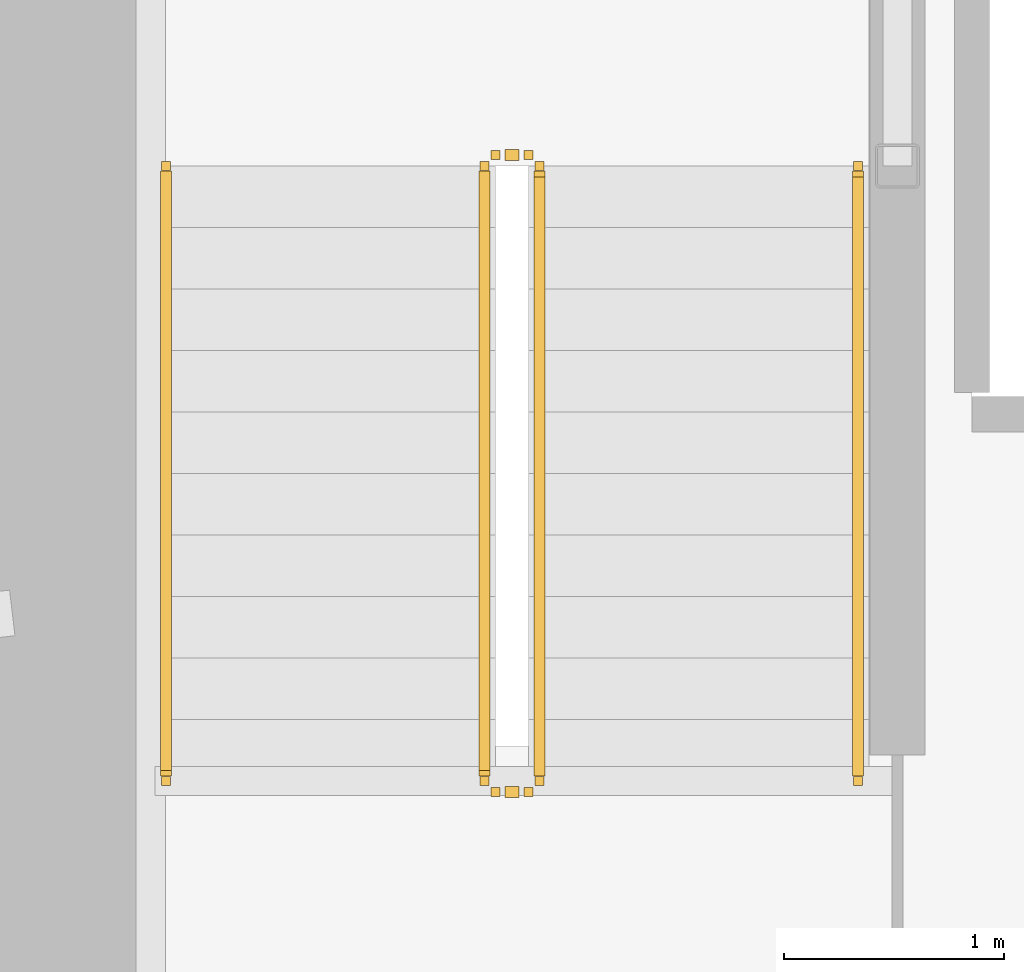
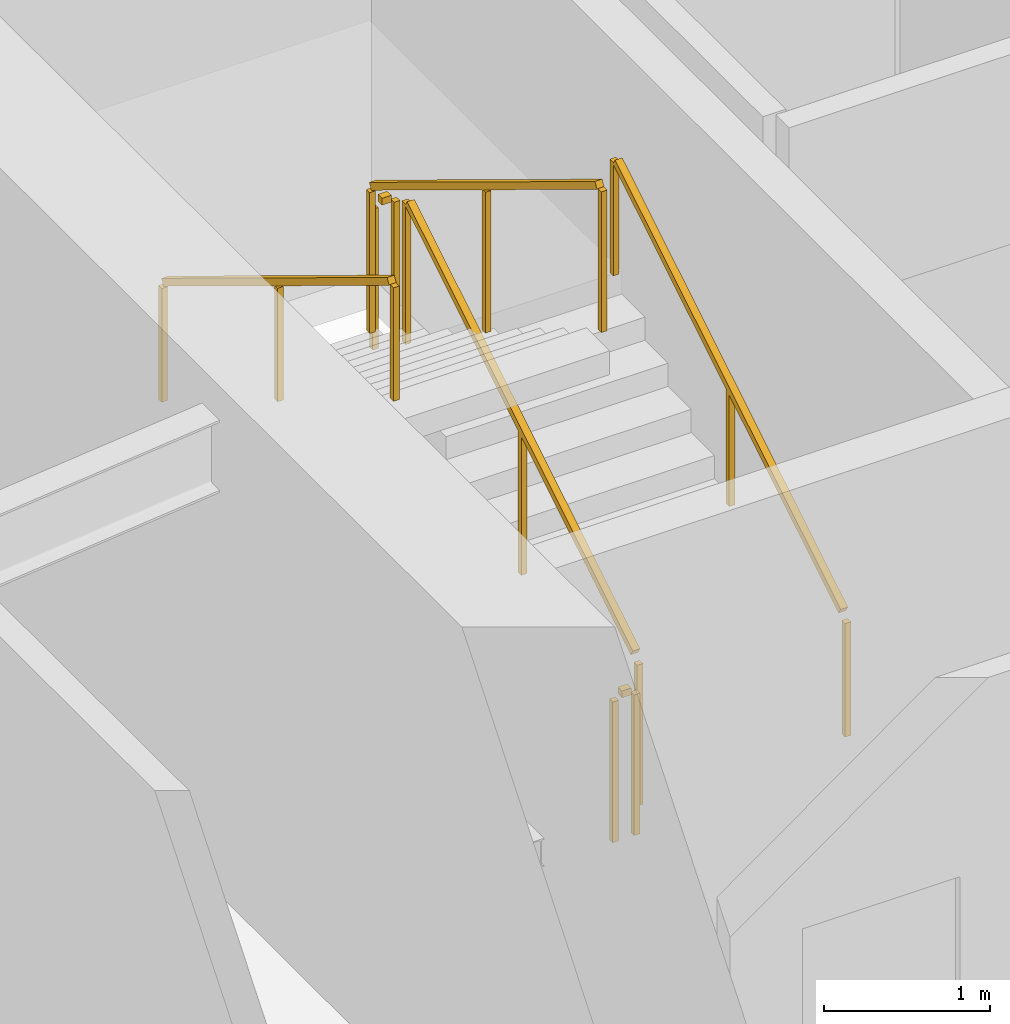
# One storey, part 17 of 22: 6 railings.
"""IFC4 building model written with IfcOpenShell, lengths in metres."""

from ifc_helpers import new_model, si_unit, direction, frame, origin, origin_2d, place, context, subcontext, project, spatial, rectangle, extrude, material, type_object, element, save


model = new_model("IFC4")

# Units and contexts
model_context = context("Model", 3, precision=1e-05, world=origin(), true_north=direction((0.0, 1.0)))
body_context = subcontext(model_context, "Body", "Model", "MODEL_VIEW")
ifc_project = project(units=[si_unit("LENGTHUNIT", "METRE"), si_unit("AREAUNIT", "SQUARE_METRE"), si_unit("VOLUMEUNIT", "CUBIC_METRE"), si_unit("PLANEANGLEUNIT", "RADIAN"), si_unit("MASSUNIT", "GRAM", prefix="KILO")], contexts=[model_context])

# Site, building, storey
site_placement = place(None, origin())
site = spatial("IfcSite", under=ifc_project, at=site_placement, CompositionType="ELEMENT")
building_placement = place(site_placement, origin())
building = spatial("IfcBuilding", under=site, at=building_placement, Name="Kazma Halo Residences", CompositionType="ELEMENT")
storey_placement = place(building_placement, frame((0.0, 0.0, 90.14990234375)))
storey = spatial("IfcBuildingStorey", under=building, at=storey_placement, Name="L22", CompositionType="ELEMENT", Elevation=90.14990234375)

# Railings
ifc_material_1 = material(Name="Painted Steel S355", Category="steel")
railing_type_1 = type_object("IfcRailingType", Name="RLG-STAIR-GRD-1100", PredefinedType="GUARDRAIL", material=ifc_material_1)
railing_1_placement = place(storey_placement, frame((39.550048828125, 39.949951171875, 0.170654296875)))
element("IfcRailing", 1, at=railing_1_placement, inside=storey, type_object=railing_type_1, Name="L22 ST-01 stair guard 1", PredefinedType="GUARDRAIL", context=body_context, shape_type="SweptSolid", body=[
    extrude(rectangle(XDim=0.050048828125, YDim=0.050048828125, at=origin_2d()), frame((0.0, 0.036376953125, 1.09716796875), z_axis=(0.0, 0.854202870247, 0.519939858505), x_axis=(-1.0, 0.0, 0.0)), (0.0, 0.0, 1.0), 3.19287109375),
    extrude(rectangle(XDim=0.0400390625, YDim=0.0400390625, at=origin_2d()), origin(), (0.0, 0.0, 1.0), 1.0380859375),
    extrude(rectangle(XDim=0.0400390625, YDim=0.0400390625, at=origin_2d()), frame((0.0, 1.39990234375, 0.85205078125)), (0.0, 0.0, 1.0), 1.0380859375),
    extrude(rectangle(XDim=0.0400390625, YDim=0.0400390625, at=origin_2d()), frame((0.0, 2.800048828125, 1.704345703125)), (0.0, 0.0, 1.0), 1.0380859375),
])
railing_2_placement = place(storey_placement, frame((39.5, 42.800048828125, 1.875)))
element("IfcRailing", 2, at=railing_2_placement, inside=storey, type_object=railing_type_1, Name="L22 ST-01 stair guard 2", PredefinedType="GUARDRAIL", context=body_context, shape_type="SweptSolid", body=[
    extrude(rectangle(XDim=0.050048828125, YDim=0.050048828125, at=origin_2d()), frame((-0.04248046875, 0.0, 1.0751953125), z_axis=(-1.0, 0.0, 0.0), x_axis=(0.0, -1.0, 0.0)), (0.0, 0.0, 1.0), 0.06494140625),
    extrude(rectangle(XDim=0.0400390625, YDim=0.0400390625, at=origin_2d()), origin(), (0.0, 0.0, 1.0), 1.0380859375),
    extrude(rectangle(XDim=0.0400390625, YDim=0.0400390625, at=origin_2d()), frame((-0.14990234375, 0.0, 0.0)), (0.0, 0.0, 1.0), 1.0380859375),
])
railing_3_placement = place(storey_placement, frame((39.300048828125, 42.75, 2.045654296875)))
element("IfcRailing", 3, at=railing_3_placement, inside=storey, type_object=railing_type_1, Name="L22 ST-01 stair guard 3", PredefinedType="GUARDRAIL", context=body_context, shape_type="SweptSolid", body=[
    extrude(rectangle(XDim=0.050048828125, YDim=0.050048828125, at=origin_2d()), frame((0.0, -0.036376953125, 1.09716796875), z_axis=(0.0, -0.854202870247, 0.519939858505), x_axis=(1.0, 0.0, 0.0)), (0.0, 0.0, 1.0), 3.19287109375),
    extrude(rectangle(XDim=0.0400390625, YDim=0.0400390625, at=origin_2d()), origin(), (0.0, 0.0, 1.0), 1.0380859375),
    extrude(rectangle(XDim=0.0400390625, YDim=0.0400390625, at=origin_2d()), frame((0.0, -1.39990234375, 0.85205078125)), (0.0, 0.0, 1.0), 1.0380859375),
    extrude(rectangle(XDim=0.0400390625, YDim=0.0400390625, at=origin_2d()), frame((0.0, -2.800048828125, 1.704345703125)), (0.0, 0.0, 1.0), 1.0380859375),
])
railing_4_placement = place(storey_placement, frame((39.5, 39.89990234375, 0.0)))
element("IfcRailing", 4, at=railing_4_placement, inside=storey, type_object=railing_type_1, Name="L22 ST-01 stair guard 4", PredefinedType="GUARDRAIL", context=body_context, shape_type="SweptSolid", body=[
    extrude(rectangle(XDim=0.050048828125, YDim=0.050048828125, at=origin_2d()), frame((-0.04248046875, 0.0, 1.0751953125), z_axis=(-1.0, 0.0, 0.0), x_axis=(0.0, -1.0, 0.0)), (0.0, 0.0, 1.0), 0.06494140625),
    extrude(rectangle(XDim=0.0400390625, YDim=0.0400390625, at=origin_2d()), origin(), (0.0, 0.0, 1.0), 1.0380859375),
    extrude(rectangle(XDim=0.0400390625, YDim=0.0400390625, at=origin_2d()), frame((-0.14990234375, 0.0, 0.0)), (0.0, 0.0, 1.0), 1.0380859375),
])
ifc_material_2 = material(Name="Brushed Stainless Steel", Category="steel")
railing_type_2 = type_object("IfcRailingType", Name="RLG-STAIR-HND-900", PredefinedType="HANDRAIL", material=ifc_material_2)
railing_5_placement = place(storey_placement, frame((41.0, 39.949951171875, 0.170654296875)))
element("IfcRailing", 5, at=railing_5_placement, inside=storey, type_object=railing_type_2, Name="L22 ST-01 stair handrail 1", PredefinedType="HANDRAIL", context=body_context, shape_type="SweptSolid", body=[
    extrude(rectangle(XDim=0.050048828125, YDim=0.050048828125, at=origin_2d()), frame((0.0, 0.036376953125, 0.89697265625), z_axis=(0.0, 0.854202870247, 0.519939858505), x_axis=(-1.0, 0.0, 0.0)), (0.0, 0.0, 1.0), 3.19287109375),
    extrude(rectangle(XDim=0.0400390625, YDim=0.0400390625, at=origin_2d()), origin(), (0.0, 0.0, 1.0), 0.837890625),
    extrude(rectangle(XDim=0.0400390625, YDim=0.0400390625, at=origin_2d()), frame((0.0, 1.39990234375, 0.85205078125)), (0.0, 0.0, 1.0), 0.837890625),
    extrude(rectangle(XDim=0.0400390625, YDim=0.0400390625, at=origin_2d()), frame((0.0, 2.800048828125, 1.704345703125)), (0.0, 0.0, 1.0), 0.837890625),
])
railing_6_placement = place(storey_placement, frame((37.85009765625, 42.75, 2.045654296875)))
element("IfcRailing", 6, at=railing_6_placement, inside=storey, type_object=railing_type_2, Name="L22 ST-01 stair handrail 2", PredefinedType="HANDRAIL", context=body_context, shape_type="SweptSolid", body=[
    extrude(rectangle(XDim=0.050048828125, YDim=0.050048828125, at=origin_2d()), frame((0.0, -0.036376953125, 0.89697265625), z_axis=(0.0, -0.854202870247, 0.519939858505), x_axis=(1.0, 0.0, 0.0)), (0.0, 0.0, 1.0), 3.19287109375),
    extrude(rectangle(XDim=0.0400390625, YDim=0.0400390625, at=origin_2d()), origin(), (0.0, 0.0, 1.0), 0.837890625),
    extrude(rectangle(XDim=0.0400390625, YDim=0.0400390625, at=origin_2d()), frame((0.0, -1.39990234375, 0.85205078125)), (0.0, 0.0, 1.0), 0.837890625),
    extrude(rectangle(XDim=0.0400390625, YDim=0.0400390625, at=origin_2d()), frame((0.0, -2.800048828125, 1.704345703125)), (0.0, 0.0, 1.0), 0.837890625),
])

save(model, "model.ifc")
